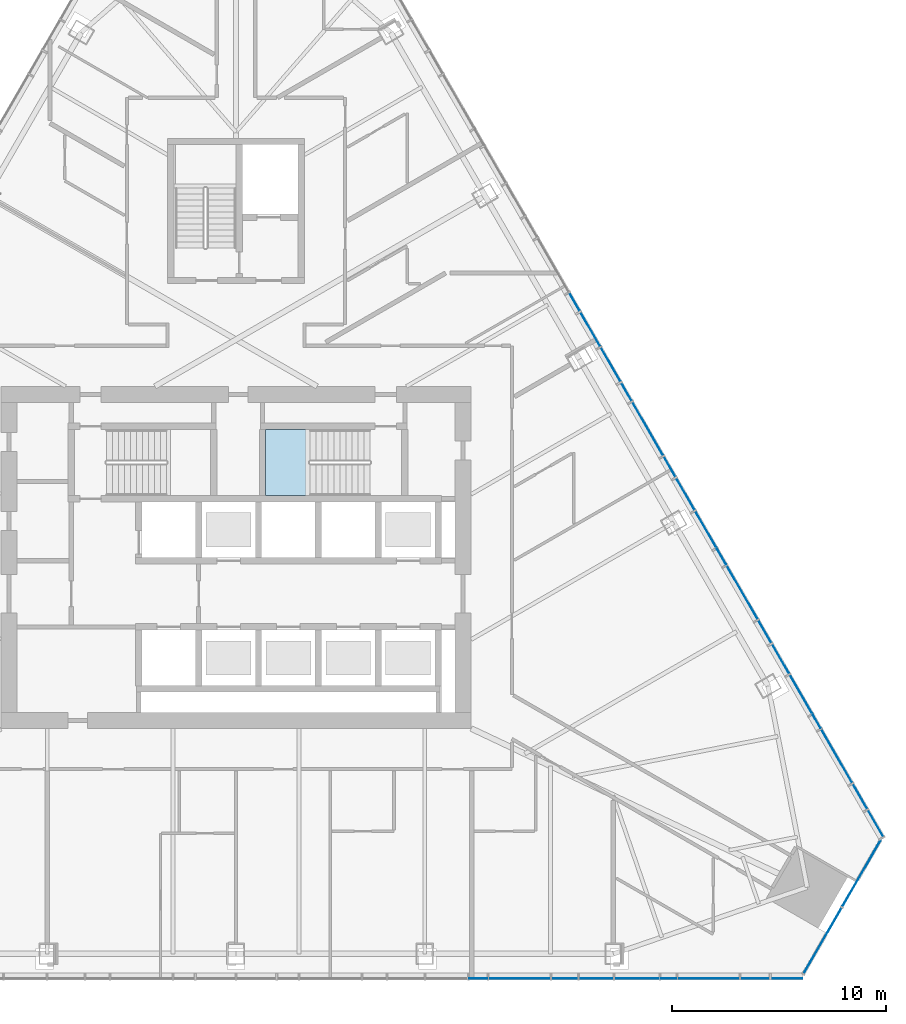
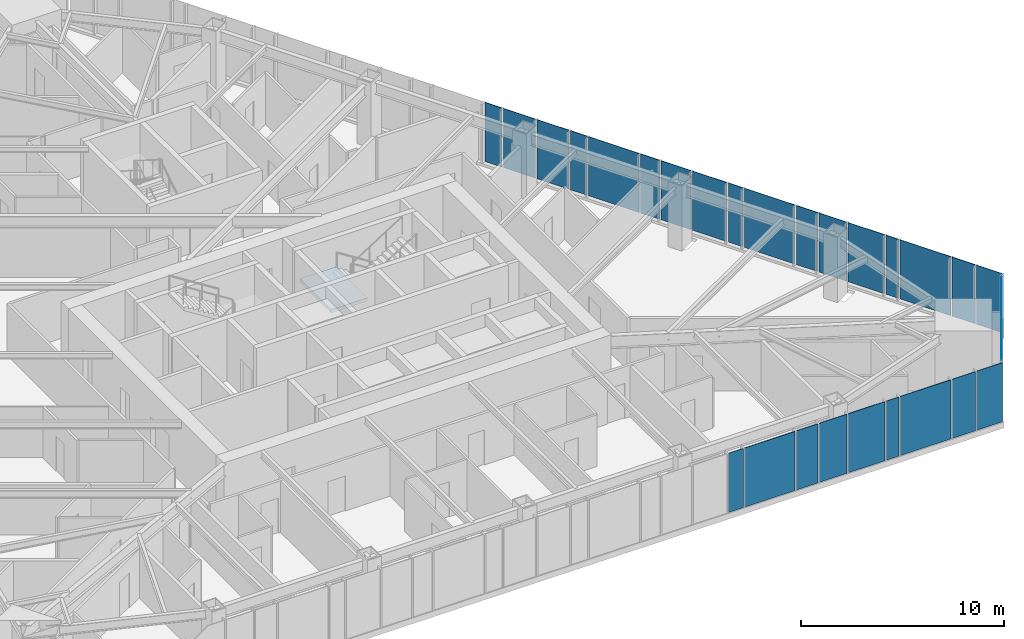
# One storey, part 11 of 19: 28 plates, 1 slab, 4 elements without a shape of their own.
"""IFC4 building model written with IfcOpenShell, lengths in metres."""

import ifcopenshell
import ifcopenshell.guid

model = None  # the IFC model being written
_history = None  # IfcOwnerHistory: only IFC2X3 demands one
_inside = {}  # id of a spatial element -> (the spatial element, [elements in it])
_under = {}  # id of a project, library or spatial element -> (it, [spatial elements below it])
_declared = {}  # id of a project -> (the project, [libraries it declares])
_typed = {}  # id of a type object -> (the type object, [elements of that type])
_made_of = {}  # id of a material, layer set ... -> (it, [elements and type objects made of it])


def new_model(schema):
    """Start an empty IFC model of exactly this schema.

    Asked for "IFC4X3", IfcOpenShell would pick the latest addendum, in which some entities
    have other attributes; the version numbers below select the first issue.
    IFC2X3 requires an IfcOwnerHistory on every rooted entity: one is made here for all.
    """
    global model, _history
    if schema == "IFC4X3":
        model = ifcopenshell.file(schema_version=(4, 3, 0, 0))
    else:
        model = ifcopenshell.file(schema=schema)
    _inside.clear()
    _under.clear()
    _declared.clear()
    _typed.clear()
    _made_of.clear()
    _history = None
    if model.schema == "IFC2X3":
        org = make("IfcOrganization", Name="unknown")
        user = make(
            "IfcPersonAndOrganization",
            ThePerson=make("IfcPerson", FamilyName="unknown"),
            TheOrganization=org,
        )
        app = make(
            "IfcApplication",
            ApplicationDeveloper=org,
            Version="unknown",
            ApplicationFullName="unknown",
            ApplicationIdentifier="unknown",
        )
        _history = make(
            "IfcOwnerHistory",
            OwningUser=user,
            OwningApplication=app,
            ChangeAction="ADDED",
            CreationDate=0,
        )
    return model


def make(cls, **values):
    """One entity of the class cls with the attributes given. An attribute that is None is left unset."""
    return model.create_entity(
        cls, **{name: value for name, value in values.items() if value is not None}
    )


def rooted(cls, **values):
    """An entity with a GlobalId (a new one), such as an element, a storey or a relation."""
    return make(cls, GlobalId=ifcopenshell.guid.new(), OwnerHistory=_history, **values)


def si_unit(unit_type, name, prefix=None):
    """IfcSIUnit, for example si_unit("LENGTHUNIT", "METRE", prefix="MILLI")."""
    return make("IfcSIUnit", UnitType=unit_type, Prefix=prefix, Name=name)


def assignment(units):
    """IfcUnitAssignment: the units of a project."""
    return None if units is None else make("IfcUnitAssignment", Units=units)


def point(xyz):
    """IfcCartesianPoint."""
    return None if xyz is None else make("IfcCartesianPoint", Coordinates=xyz)


def direction(xyz):
    """IfcDirection."""
    return None if xyz is None else make("IfcDirection", DirectionRatios=xyz)


def frame(location, z_axis=None, x_axis=None):
    """IfcAxis2Placement3D, a coordinate frame: its origin and axes. An axis left out is left unset."""
    return make(
        "IfcAxis2Placement3D",
        Location=point(location),
        Axis=direction(z_axis),
        RefDirection=direction(x_axis),
    )


def origin():
    """The frame at (0, 0, 0) with its axes left unset."""
    return frame((0.0, 0.0, 0.0))


def place(relative_to, where):
    """IfcLocalPlacement: puts the frame where relative to a parent placement (None: the world)."""
    return make(
        "IfcLocalPlacement", PlacementRelTo=relative_to, RelativePlacement=where
    )


def context(
    kind, dimensions, precision=None, world=None, true_north=None, identifier=None
):
    """IfcGeometricRepresentationContext, for example the 3D "Model" context."""
    return make(
        "IfcGeometricRepresentationContext",
        ContextIdentifier=identifier,
        ContextType=kind,
        CoordinateSpaceDimension=dimensions,
        Precision=precision,
        WorldCoordinateSystem=world,
        TrueNorth=true_north,
    )


def subcontext(parent, identifier, kind, view, scale=None):
    """IfcGeometricRepresentationSubContext, for example "Body" below "Model"."""
    return make(
        "IfcGeometricRepresentationSubContext",
        ContextIdentifier=identifier,
        ContextType=kind,
        ParentContext=parent,
        TargetScale=scale,
        TargetView=view,
    )


def project(units=None, contexts=None):
    """IfcProject with its units and contexts."""
    return rooted(
        "IfcProject",
        Name="project",
        RepresentationContexts=contexts,
        UnitsInContext=assignment(units),
    )


def spatial(cls, under=None, at=None, **own):
    """A site, building, storey or space (cls), placed at a placement, below another one or the project."""
    s = rooted(cls, ObjectPlacement=at, **own)
    if under is not None:
        _under.setdefault(under.id(), (under, []))[1].append(s)
    return s


def polyline(points):
    """IfcPolyline through the points."""
    return make("IfcPolyline", Points=[point(p) for p in points])


def outline(outer, holes=None, kind="AREA"):
    """IfcArbitraryClosedProfileDef: a profile drawn as a closed curve; with holes, ...WithVoids."""
    if holes is None:
        return make("IfcArbitraryClosedProfileDef", ProfileType=kind, OuterCurve=outer)
    return make(
        "IfcArbitraryProfileDefWithVoids",
        ProfileType=kind,
        OuterCurve=outer,
        InnerCurves=holes,
    )


def extrude(swept, where, along, depth):
    """IfcExtrudedAreaSolid: the profile swept, set in the frame where, extruded along a direction by depth."""
    return make(
        "IfcExtrudedAreaSolid",
        SweptArea=swept,
        Position=where,
        ExtrudedDirection=direction(along),
        Depth=depth,
    )


def shape(context_of_items, identifier, shape_type, items):
    """IfcShapeRepresentation: the items that make up one representation, for example the "Body"."""
    return make(
        "IfcShapeRepresentation",
        ContextOfItems=context_of_items,
        RepresentationIdentifier=identifier,
        RepresentationType=shape_type,
        Items=items,
    )


def material(Name=None, Category=None):
    """IfcMaterial."""
    return make("IfcMaterial", Name=Name, Category=Category)


def layer(
    of_material, thickness, ventilated=None, Name=None, Category=None, Priority=None
):
    """IfcMaterialLayer: one layer of a wall or slab, of a material (None: an air gap)."""
    return make(
        "IfcMaterialLayer",
        Material=of_material,
        LayerThickness=thickness,
        IsVentilated=ventilated,
        Name=Name,
        Category=Category,
        Priority=Priority,
    )


def layer_set(layers, Name=None):
    """IfcMaterialLayerSet."""
    return make("IfcMaterialLayerSet", MaterialLayers=layers, LayerSetName=Name)


def made_of(thing, what):
    """Note that an element or type object is made of a material, layer set ...; save() writes the relation."""
    if what is not None:
        _made_of.setdefault(what.id(), (what, []))[1].append(thing)
    return thing


def type_object(cls, material=None, **own):
    """A type object (cls), such as IfcWallType, which elements share."""
    return made_of(rooted(cls, **own), material)


def element(
    cls,
    number,
    at=None,
    inside=None,
    cuts=None,
    type_object=None,
    material=None,
    context=None,
    identifier="Body",
    shape_type=None,
    held_by="IfcProductDefinitionShape",
    body=None,
    shapes=None,
    **own,
):
    """One element of the class cls, such as IfcWall. Its Tag is "e" and its number.

    at: its placement. inside: the storey or other place that contains it. cuts: it is an
    opening in that element (IfcRelVoidsElement). A single representation is given by context,
    identifier, shape_type and body (its items); several are given by shapes. held_by: the class
    of the entity that holds the representations. save() writes the other relations.
    """
    e = rooted(cls, Tag="e%d" % number, ObjectPlacement=at, **own)
    if body is not None:
        shapes = [shape(context, identifier, shape_type, body)]
    if shapes is not None:
        e.Representation = make(held_by, Representations=shapes)
    if inside is not None:
        _inside.setdefault(inside.id(), (inside, []))[1].append(e)
    if cuts is not None:
        rooted(
            "IfcRelVoidsElement", RelatingBuildingElement=cuts, RelatedOpeningElement=e
        )
    if type_object is not None:
        _typed.setdefault(type_object.id(), (type_object, []))[1].append(e)
    return made_of(e, material)


def aggregate(whole, parts):
    """IfcRelAggregates: a whole, such as a stair, and the parts it consists of."""
    return rooted("IfcRelAggregates", RelatingObject=whole, RelatedObjects=parts)


def save(model, path):
    """Write the relations noted so far, then the file.

    IfcRelAggregates (storeys below a building ...), IfcRelContainedInSpatialStructure (elements
    in a storey), IfcRelDefinesByType, IfcRelAssociatesMaterial and IfcRelDeclares: one each for
    every whole, place, type object, material and project.
    """
    for whole, parts in _under.values():
        aggregate(whole, parts)
    for where, things in _inside.values():
        rooted(
            "IfcRelContainedInSpatialStructure",
            RelatedElements=things,
            RelatingStructure=where,
        )
    for kind, things in _typed.values():
        rooted("IfcRelDefinesByType", RelatedObjects=things, RelatingType=kind)
    for what, things in _made_of.values():
        rooted("IfcRelAssociatesMaterial", RelatedObjects=things, RelatingMaterial=what)
    for by, libraries in _declared.values():
        rooted("IfcRelDeclares", RelatingContext=by, RelatedDefinitions=libraries)
    model.write(path)


model = new_model("IFC4")

# Units and contexts
model_context = context("Model", 3, precision=1e-05, world=origin(), true_north=direction((0.0, 1.0)))
body_context = subcontext(model_context, "Body", "Model", "MODEL_VIEW")
ifc_project = project(units=[si_unit("LENGTHUNIT", "METRE"), si_unit("AREAUNIT", "SQUARE_METRE"), si_unit("VOLUMEUNIT", "CUBIC_METRE"), si_unit("PLANEANGLEUNIT", "RADIAN"), si_unit("MASSUNIT", "GRAM", prefix="KILO")], contexts=[model_context])

# Site, building, storey
site_placement = place(None, origin())
site = spatial("IfcSite", under=ifc_project, at=site_placement, CompositionType="ELEMENT")
building_placement = place(site_placement, origin())
building = spatial("IfcBuilding", under=site, at=building_placement, Name="Firuza Gate Tower and Library", CompositionType="ELEMENT")
storey_placement = place(building_placement, frame((0.0, 0.0, 179.199951171875)))
storey = spatial("IfcBuildingStorey", under=building, at=storey_placement, Name="L41", CompositionType="ELEMENT", Elevation=179.199951171875)

# Curtain wall, plates
ifc_material_1 = material(Name="Aluminium 6063-T6", Category="aluminium")
ifc_layer_1 = layer(ifc_material_1, 0.14990234375)
ifc_layer_set_1 = layer_set([ifc_layer_1], Name="Corner curtain wall, chamfers")
curtain_wall_type_1 = type_object("IfcCurtainWallType", Name="Corner curtain wall, chamfers", PredefinedType="NOTDEFINED", material=ifc_layer_set_1)
placement = place(storey_placement, origin())
curtain_wall_1 = element("IfcCurtainWall", 1, at=placement, inside=storey, type_object=curtain_wall_type_1, Name="CW4 L41 SE corner", PredefinedType="NOTDEFINED")
ifc_material_2 = material(Name="Fritted glass", Category="glass")
ifc_layer_2 = layer(ifc_material_2, 0.030029296875)
ifc_layer_set_2 = layer_set([ifc_layer_2], Name="Fritted glass unit, corners")
plate_type_1 = type_object("IfcPlateType", Name="Fritted glass unit, corners", PredefinedType="CURTAIN_PANEL", material=ifc_layer_set_2)
plate_1_placement = place(storey_placement, frame((101.5478515625, 55.511962890625, 0.150146484375), z_axis=(0.865999591991, -0.500044704672, 0.0), x_axis=(0.500044704672, 0.865999591991, 0.0)))
plate_1 = element("IfcPlate", 2, at=plate_1_placement, type_object=plate_type_1, Name="Glass unit", PredefinedType="CURTAIN_PANEL", context=body_context, shape_type="SweptSolid", body=[
    extrude(outline(polyline([(0.0, 0.0), (3.563157982880169, 0.0), (3.563157982880169, 3.5498046875), (0.0, 3.5498046875), (0.0, 0.0)])), origin(), (0.0, 0.0, -1.0), 0.030029296875),
])
plate_2_placement = place(storey_placement, frame((103.36962890625, 58.6669921875, 0.150146484375), z_axis=(0.866046390552, -0.49996364809, 0.0), x_axis=(0.49996364809, 0.866046390552, 0.0)))
plate_2 = element("IfcPlate", 3, at=plate_2_placement, type_object=plate_type_1, Name="Glass unit", PredefinedType="CURTAIN_PANEL", context=body_context, shape_type="SweptSolid", body=[
    extrude(outline(polyline([(0.0, 0.0), (3.563247342942594, 0.0), (3.563247342942594, 3.5498046875), (0.0, 3.5498046875), (0.0, 0.0)])), origin(), (0.0, 0.0, -1.0), 0.030029296875),
])
aggregate(curtain_wall_1, [plate_1, plate_2])

ifc_material_3 = material(Name="Aluminium 6063-T6", Category="aluminium")
ifc_layer_3 = layer(ifc_material_3, 0.14990234375)
ifc_layer_set_3 = layer_set([ifc_layer_3], Name="Unitised curtain wall, hotel")
curtain_wall_type_2 = type_object("IfcCurtainWallType", Name="Unitised curtain wall, hotel", PredefinedType="NOTDEFINED", material=ifc_layer_set_3)
curtain_wall_2 = element("IfcCurtainWall", 4, at=placement, inside=storey, type_object=curtain_wall_type_2, Name="CW2 L41 S face", PredefinedType="NOTDEFINED")
ifc_material_4 = material(Name="Fritted glass", Category="glass")
ifc_layer_4 = layer(ifc_material_4, 0.030029296875)
ifc_layer_set_4 = layer_set([ifc_layer_4], Name="Fritted glass unit, hotel")
plate_type_2 = type_object("IfcPlateType", Name="Fritted glass unit, hotel", PredefinedType="CURTAIN_PANEL", material=ifc_layer_set_4)
plate_3_placement = place(storey_placement, frame((91.05712890625, 55.2998046875, 0.150146484375), z_axis=(0.0, -1.0, 0.0), x_axis=(1.0, 0.0, 0.0)))
plate_3 = element("IfcPlate", 5, at=plate_3_placement, type_object=plate_type_2, Name="Glass unit", PredefinedType="CURTAIN_PANEL", context=body_context, shape_type="SweptSolid", body=[
    extrude(outline(polyline([(0.0, 0.0), (1.579345703125, 0.0), (1.579345703125, 3.5498046875), (0.0, 3.5498046875), (0.0, 0.0)])), origin(), (0.0, 0.0, -1.0), 0.030029296875),
])
plate_4_placement = place(storey_placement, frame((92.716552734375, 55.2998046875, 0.150146484375), z_axis=(0.0, -1.0, 0.0), x_axis=(1.0, 0.0, 0.0)))
plate_4 = element("IfcPlate", 6, at=plate_4_placement, type_object=plate_type_2, Name="Glass unit", PredefinedType="CURTAIN_PANEL", context=body_context, shape_type="SweptSolid", body=[
    extrude(outline(polyline([(0.0, 0.0), (2.073974609375, 0.0), (2.073974609375, 3.5498046875), (0.0, 3.5498046875), (0.0, 0.0)])), origin(), (0.0, 0.0, -1.0), 0.030029296875),
])
plate_5_placement = place(storey_placement, frame((100.01904296875, 55.2998046875, 0.150146484375), z_axis=(0.0, -1.0, 0.0), x_axis=(1.0, 0.0, 0.0)))
plate_5 = element("IfcPlate", 7, at=plate_5_placement, type_object=plate_type_2, Name="Glass unit", PredefinedType="CURTAIN_PANEL", context=body_context, shape_type="SweptSolid", body=[
    extrude(outline(polyline([(0.0, 0.0), (1.455810546875, 0.0), (1.455810546875, 3.5498046875), (0.0, 3.5498046875), (0.0, 0.0)])), origin(), (0.0, 0.0, -1.0), 0.030029296875),
])

curtain_wall_3 = element("IfcCurtainWall", 8, at=placement, inside=storey, type_object=curtain_wall_type_2, Name="CW2 L41 E face", PredefinedType="NOTDEFINED")
plate_6_placement = place(storey_placement, frame((105.29833984375, 61.922119140625, 0.150146484375), z_axis=(0.866099031366, 0.499872451598, 0.0), x_axis=(-0.499872451598, 0.866099031366, 0.0)))
plate_6 = element("IfcPlate", 9, at=plate_6_placement, type_object=plate_type_2, Name="Glass unit", PredefinedType="CURTAIN_PANEL", context=body_context, shape_type="SweptSolid", body=[
    extrude(outline(polyline([(0.0, 0.0), (1.4559378113329757, 0.0), (1.4559378113329757, 3.549804687500001), (0.0, 3.549804687500001), (0.0, 0.0)])), origin(), (0.0, 0.0, -1.0), 0.030029296875),
])
plate_7_placement = place(storey_placement, frame((101.956298828125, 67.7109375, 0.150146484375), z_axis=(0.866003278167, 0.500038320736, 0.0), x_axis=(-0.500038320736, 0.866003278167, 0.0)))
plate_7 = element("IfcPlate", 10, at=plate_7_placement, type_object=plate_type_2, Name="Glass unit", PredefinedType="CURTAIN_PANEL", context=body_context, shape_type="SweptSolid", body=[
    extrude(outline(polyline([(0.0, 0.0), (2.0740597910056526, 0.0), (2.0740597910056526, 3.5498046874999996), (0.0, 3.5498046874999996), (0.0, 0.0)])), origin(), (0.0, 0.0, -1.0), 0.030029296875),
])
plate_8_placement = place(storey_placement, frame((100.879150390625, 69.576416015625, 0.150146484375), z_axis=(0.866085206172, 0.499896404919, 0.0), x_axis=(-0.499896404919, 0.866085206172, 0.0)))
plate_8 = element("IfcPlate", 11, at=plate_8_placement, type_object=plate_type_2, Name="Glass unit", PredefinedType="CURTAIN_PANEL", context=body_context, shape_type="SweptSolid", body=[
    extrude(outline(polyline([(0.0, 0.0), (1.5794288046110188, 0.0), (1.5794288046110188, 3.5498046875), (0.0, 3.5498046875), (0.0, 0.0)])), origin(), (0.0, 0.0, -1.0), 0.030029296875),
])
plate_9_placement = place(storey_placement, frame((97.475341796875, 75.47216796875, 0.150146484375), z_axis=(0.866008413041, 0.500029427677, 0.0), x_axis=(-0.500029427677, 0.866008413041, 0.0)))
plate_9 = element("IfcPlate", 12, at=plate_9_placement, type_object=plate_type_2, Name="Glass unit", PredefinedType="CURTAIN_PANEL", context=body_context, shape_type="SweptSolid", body=[
    extrude(outline(polyline([(0.0, 0.0), (1.950568792333296, 0.0), (1.950568792333296, 3.5498046875), (0.0, 3.5498046875), (0.0, 0.0)])), origin(), (0.0, 0.0, -1.0), 0.030029296875),
])
plate_10_placement = place(storey_placement, frame((96.460205078125, 77.230712890625, 0.150146484375), z_axis=(0.866011310981, 0.500024408658, 0.0), x_axis=(-0.500024408658, 0.866011310981, 0.0)))
plate_10 = element("IfcPlate", 13, at=plate_10_placement, type_object=plate_type_2, Name="Glass unit", PredefinedType="CURTAIN_PANEL", context=body_context, shape_type="SweptSolid", body=[
    extrude(outline(polyline([(0.0, 0.0), (1.703041862068479, 0.0), (1.703041862068479, 3.5498046875), (0.0, 3.5498046875), (0.0, 0.0)])), origin(), (0.0, 0.0, -1.0), 0.030029296875),
])
plate_11_placement = place(storey_placement, frame((92.994384765625, 83.2333984375, 0.150146484375), z_axis=(0.866038699073, 0.499976971178, 0.0), x_axis=(-0.499976971178, 0.866038699073, 0.0)))
plate_11 = element("IfcPlate", 14, at=plate_11_placement, type_object=plate_type_2, Name="Glass unit", PredefinedType="CURTAIN_PANEL", context=body_context, shape_type="SweptSolid", body=[
    extrude(outline(polyline([(0.0, 0.0), (1.8267442917891878, 0.0), (1.8267442917891878, 3.5498046875), (0.0, 3.5498046875), (0.0, 0.0)])), origin(), (0.0, 0.0, -1.0), 0.030029296875),
])
plate_12_placement = place(storey_placement, frame((92.041015625, 84.884765625, 0.150146484375), z_axis=(0.866038699073, 0.499976971178, 0.0), x_axis=(-0.499976971178, 0.866038699073, 0.0)))
plate_12 = element("IfcPlate", 15, at=plate_12_placement, type_object=plate_type_2, Name="Glass unit", PredefinedType="CURTAIN_PANEL", context=body_context, shape_type="SweptSolid", body=[
    extrude(outline(polyline([(0.0, 0.0), (1.8267442917891878, 0.0), (1.8267442917891878, 3.5498046875), (0.0, 3.5498046875), (0.0, 0.0)])), origin(), (0.0, 0.0, -1.0), 0.030029296875),
])

# Plate
ifc_material_5 = material(Name="Glazed ceramic tile")
ifc_layer_5 = layer(ifc_material_5, 0.030029296875)
ifc_layer_set_5 = layer_set([ifc_layer_5], Name="Opaque ceramic panel, hotel")
plate_type_3 = type_object("IfcPlateType", Name="Opaque ceramic panel, hotel", PredefinedType="CURTAIN_PANEL", material=ifc_layer_set_5)
plate_13_placement = place(storey_placement, frame((85.90869140625, 55.2998046875, 0.150146484375), z_axis=(0.0, -1.0, 0.0), x_axis=(1.0, 0.0, 0.0)))
plate_13 = element("IfcPlate", 16, at=plate_13_placement, type_object=plate_type_3, Name="Opaque ceramic panel", PredefinedType="CURTAIN_PANEL", context=body_context, shape_type="SweptSolid", body=[
    extrude(outline(polyline([(0.0, 0.0), (0.835693359375, 0.0), (0.835693359375, 3.5498046875), (0.0, 3.5498046875), (0.0, 0.0)])), origin(), (0.0, 0.0, -1.0), 0.030029296875),
])

plate_14_placement = place(storey_placement, frame((86.824462890625, 55.2998046875, 0.150146484375), z_axis=(0.0, -1.0, 0.0), x_axis=(1.0, 0.0, 0.0)))
plate_14 = element("IfcPlate", 17, at=plate_14_placement, type_object=plate_type_3, Name="Opaque ceramic panel", PredefinedType="CURTAIN_PANEL", context=body_context, shape_type="SweptSolid", body=[
    extrude(outline(polyline([(0.0, 0.0), (2.865966796875, 0.0), (2.865966796875, 3.5498046875), (0.0, 3.5498046875), (0.0, 0.0)])), origin(), (0.0, 0.0, -1.0), 0.030029296875),
])

plate_15_placement = place(storey_placement, frame((89.7705078125, 55.2998046875, 0.150146484375), z_axis=(0.0, -1.0, 0.0), x_axis=(1.0, 0.0, 0.0)))
plate_15 = element("IfcPlate", 18, at=plate_15_placement, type_object=plate_type_3, Name="Opaque ceramic panel", PredefinedType="CURTAIN_PANEL", context=body_context, shape_type="SweptSolid", body=[
    extrude(outline(polyline([(0.0, 0.0), (1.20654296875, 0.0), (1.20654296875, 3.5498046875), (0.0, 3.5498046875), (0.0, 0.0)])), origin(), (0.0, 0.0, -1.0), 0.030029296875),
])

plate_16_placement = place(storey_placement, frame((94.87060546875, 55.2998046875, 0.150146484375), z_axis=(0.0, -1.0, 0.0), x_axis=(1.0, 0.0, 0.0)))
plate_16 = element("IfcPlate", 19, at=plate_16_placement, type_object=plate_type_3, Name="Opaque ceramic panel", PredefinedType="CURTAIN_PANEL", context=body_context, shape_type="SweptSolid", body=[
    extrude(outline(polyline([(0.0, 0.0), (0.712158203125, 0.0), (0.712158203125, 3.5498046875), (0.0, 3.5498046875), (0.0, 0.0)])), origin(), (0.0, 0.0, -1.0), 0.030029296875),
])

plate_17_placement = place(storey_placement, frame((95.66259765625, 55.2998046875, 0.150146484375), z_axis=(0.0, -1.0, 0.0), x_axis=(1.0, 0.0, 0.0)))
plate_17 = element("IfcPlate", 20, at=plate_17_placement, type_object=plate_type_3, Name="Opaque ceramic panel", PredefinedType="CURTAIN_PANEL", context=body_context, shape_type="SweptSolid", body=[
    extrude(outline(polyline([(0.0, 0.0), (2.8662109375, 0.0), (2.8662109375, 3.5498046875), (0.0, 3.5498046875), (0.0, 0.0)])), origin(), (0.0, 0.0, -1.0), 0.030029296875),
])

plate_18_placement = place(storey_placement, frame((98.60888671875, 55.2998046875, 0.150146484375), z_axis=(0.0, -1.0, 0.0), x_axis=(1.0, 0.0, 0.0)))
plate_18 = element("IfcPlate", 21, at=plate_18_placement, type_object=plate_type_3, Name="Opaque ceramic panel", PredefinedType="CURTAIN_PANEL", context=body_context, shape_type="SweptSolid", body=[
    extrude(outline(polyline([(0.0, 0.0), (1.330078125, 0.0), (1.330078125, 3.5498046875), (0.0, 3.5498046875), (0.0, 0.0)])), origin(), (0.0, 0.0, -1.0), 0.030029296875),
])

aggregate(curtain_wall_2, [plate_13, plate_14, plate_15, plate_3, plate_4, plate_16, plate_17, plate_18, plate_5])

plate_19_placement = place(storey_placement, frame((104.530517578125, 63.252197265625, 0.150146484375), z_axis=(0.865986935059, 0.500066623869, 0.0), x_axis=(-0.500066623869, 0.865986935059, 0.0)))
plate_19 = element("IfcPlate", 22, at=plate_19_placement, type_object=plate_type_3, Name="Opaque ceramic panel", PredefinedType="CURTAIN_PANEL", context=body_context, shape_type="SweptSolid", body=[
    extrude(outline(polyline([(0.0, 0.0), (1.3303891349083876, 0.0), (1.3303891349083876, 3.549804687500001), (0.0, 3.549804687500001), (0.0, 0.0)])), origin(), (0.0, 0.0, -1.0), 0.030029296875),
])

plate_20_placement = place(storey_placement, frame((103.825439453125, 64.4736328125, 0.150146484375), z_axis=(0.866022459948, 0.500005098839, 0.0), x_axis=(-0.500005098839, 0.866022459948, 0.0)))
plate_20 = element("IfcPlate", 23, at=plate_20_placement, type_object=plate_type_3, Name="Opaque ceramic panel", PredefinedType="CURTAIN_PANEL", context=body_context, shape_type="SweptSolid", body=[
    extrude(outline(polyline([(0.0, 0.0), (2.86618170910153, 0.0), (2.86618170910153, 3.5498046875), (0.0, 3.5498046875), (0.0, 0.0)])), origin(), (0.0, 0.0, -1.0), 0.030029296875),
])

plate_21_placement = place(storey_placement, frame((102.352294921875, 67.02490234375, 0.150146484375), z_axis=(0.86608282171, 0.499900536046, 0.0), x_axis=(-0.499900536046, 0.86608282171, 0.0)))
plate_21 = element("IfcPlate", 24, at=plate_21_placement, type_object=plate_type_3, Name="Opaque ceramic panel", PredefinedType="CURTAIN_PANEL", context=body_context, shape_type="SweptSolid", body=[
    extrude(outline(polyline([(0.0, 0.0), (0.7120557102524872, 0.0), (0.7120557102524872, 3.549804687500001), (0.0, 3.549804687500001), (0.0, 0.0)])), origin(), (0.0, 0.0, -1.0), 0.030029296875),
])

plate_22_placement = place(storey_placement, frame((100.049560546875, 71.013671875, 0.150146484375), z_axis=(0.866030586491, 0.499991023182, 0.0), x_axis=(-0.499991023182, 0.866030586491, 0.0)))
plate_22 = element("IfcPlate", 25, at=plate_22_placement, type_object=plate_type_3, Name="Opaque ceramic panel", PredefinedType="CURTAIN_PANEL", context=body_context, shape_type="SweptSolid", body=[
    extrude(outline(polyline([(0.0, 0.0), (1.2065646309723868, 0.0), (1.2065646309723868, 3.5498046875), (0.0, 3.5498046875), (0.0, 0.0)])), origin(), (0.0, 0.0, -1.0), 0.030029296875),
])

plate_23_placement = place(storey_placement, frame((99.40625, 72.1279296875, 0.150146484375), z_axis=(0.866001162221, 0.500041985268, 0.0), x_axis=(-0.500041985268, 0.866001162221, 0.0)))
plate_23 = element("IfcPlate", 26, at=plate_23_placement, type_object=plate_type_3, Name="Opaque ceramic panel", PredefinedType="CURTAIN_PANEL", context=body_context, shape_type="SweptSolid", body=[
    extrude(outline(polyline([(0.0, 0.0), (2.865970280436618, 0.0), (2.865970280436618, 3.5498046875), (0.0, 3.5498046875), (0.0, 0.0)])), origin(), (0.0, 0.0, -1.0), 0.030029296875),
])

plate_24_placement = place(storey_placement, frame((97.93310546875, 74.67919921875, 0.150146484375), z_axis=(0.866132085421, 0.499815176444, 0.0), x_axis=(-0.499815176444, 0.866132085421, 0.0)))
plate_24 = element("IfcPlate", 27, at=plate_24_placement, type_object=plate_type_3, Name="Opaque ceramic panel", PredefinedType="CURTAIN_PANEL", context=body_context, shape_type="SweptSolid", body=[
    extrude(outline(polyline([(0.0, 0.0), (0.8357581543383408, 0.0), (0.8357581543383408, 3.5498046875), (0.0, 3.5498046875), (0.0, 0.0)])), origin(), (0.0, 0.0, -1.0), 0.030029296875),
])

plate_25_placement = place(storey_placement, frame((95.568603515625, 78.77490234375, 0.150146484375), z_axis=(0.865986583332, 0.500067232968, 0.0), x_axis=(-0.500067232968, 0.865986583332, 0.0)))
plate_25 = element("IfcPlate", 28, at=plate_25_placement, type_object=plate_type_3, Name="Opaque ceramic panel", PredefinedType="CURTAIN_PANEL", context=body_context, shape_type="SweptSolid", body=[
    extrude(outline(polyline([(0.0, 0.0), (1.0828622044196246, 0.0), (1.0828622044196246, 3.5498046875), (0.0, 3.5498046875), (0.0, 0.0)])), origin(), (0.0, 0.0, -1.0), 0.030029296875),
])

plate_26_placement = place(storey_placement, frame((94.987060546875, 79.781982421875, 0.150146484375), z_axis=(0.866022459948, 0.500005098839, 0.0), x_axis=(-0.500005098839, 0.866022459948, 0.0)))
plate_26 = element("IfcPlate", 29, at=plate_26_placement, type_object=plate_type_3, Name="Opaque ceramic panel", PredefinedType="CURTAIN_PANEL", context=body_context, shape_type="SweptSolid", body=[
    extrude(outline(polyline([(0.0, 0.0), (2.86618170910153, 0.0), (2.86618170910153, 3.5498046875), (0.0, 3.5498046875), (0.0, 0.0)])), origin(), (0.0, 0.0, -1.0), 0.030029296875),
])

plate_27_placement = place(storey_placement, frame((93.513916015625, 82.33349609375, 0.150146484375), z_axis=(0.866105068725, 0.499861990883, 0.0), x_axis=(-0.499861990883, 0.866105068725, 0.0)))
plate_27 = element("IfcPlate", 30, at=plate_27_placement, type_object=plate_type_3, Name="Opaque ceramic panel", PredefinedType="CURTAIN_PANEL", context=body_context, shape_type="SweptSolid", body=[
    extrude(outline(polyline([(0.0, 0.0), (0.959249145254908, 0.0), (0.959249145254908, 3.5498046875), (0.0, 3.5498046875), (0.0, 0.0)])), origin(), (0.0, 0.0, -1.0), 0.030029296875),
])

plate_28_placement = place(storey_placement, frame((91.087646484375, 86.5361328125, 0.150146484375), z_axis=(0.865994874968, 0.500052873733, 0.0), x_axis=(-0.500052873733, 0.865994874968, 0.0)))
plate_28 = element("IfcPlate", 31, at=plate_28_placement, type_object=plate_type_3, Name="Opaque ceramic panel", PredefinedType="CURTAIN_PANEL", context=body_context, shape_type="SweptSolid", body=[
    extrude(outline(polyline([(0.0, 0.0), (0.9593712051763875, 0.0), (0.9593712051763875, 3.5498046875), (0.0, 3.5498046875), (0.0, 0.0)])), origin(), (0.0, 0.0, -1.0), 0.030029296875),
])

aggregate(curtain_wall_3, [plate_6, plate_19, plate_20, plate_21, plate_7, plate_8, plate_22, plate_23, plate_24, plate_9, plate_10, plate_25, plate_26, plate_27, plate_11, plate_12, plate_28])

# Stair, slab
ifc_material_6 = material(Name="Concrete C35/45", Category="concrete")
stair_type = type_object("IfcStairType", Name="Exit stair ST7", PredefinedType="HALF_TURN_STAIR", material=ifc_material_6)
stair = element("IfcStair", 32, at=placement, inside=storey, type_object=stair_type, Name="L41 Stair ST2", PredefinedType="HALF_TURN_STAIR")
ifc_material_7 = material(Name="Concrete C35/45", Category="concrete")
ifc_layer_6 = layer(ifc_material_7, 0.199951171875)
ifc_layer_set_6 = layer_set([ifc_layer_6], Name="Stair landing 200")
slab_type = type_object("IfcSlabType", Name="Stair landing 200", PredefinedType="LANDING", material=ifc_layer_set_6)
slab_placement = place(storey_placement, frame((0.0, 0.0, 1.75)))
slab = element("IfcSlab", 33, at=slab_placement, type_object=slab_type, Name="ST2 landing 1", PredefinedType="LANDING", context=body_context, shape_type="SweptSolid", body=[
    extrude(outline(polyline([(78.4599609375, 80.97998046875), (76.389892578125, 80.97998046875), (76.389892578125, 77.89990234375), (78.4599609375, 77.89990234375), (78.4599609375, 80.97998046875)])), origin(), (0.0, 0.0, 1.0), 0.199951171875),
])
aggregate(stair, [slab])

save(model, "model.ifc")
